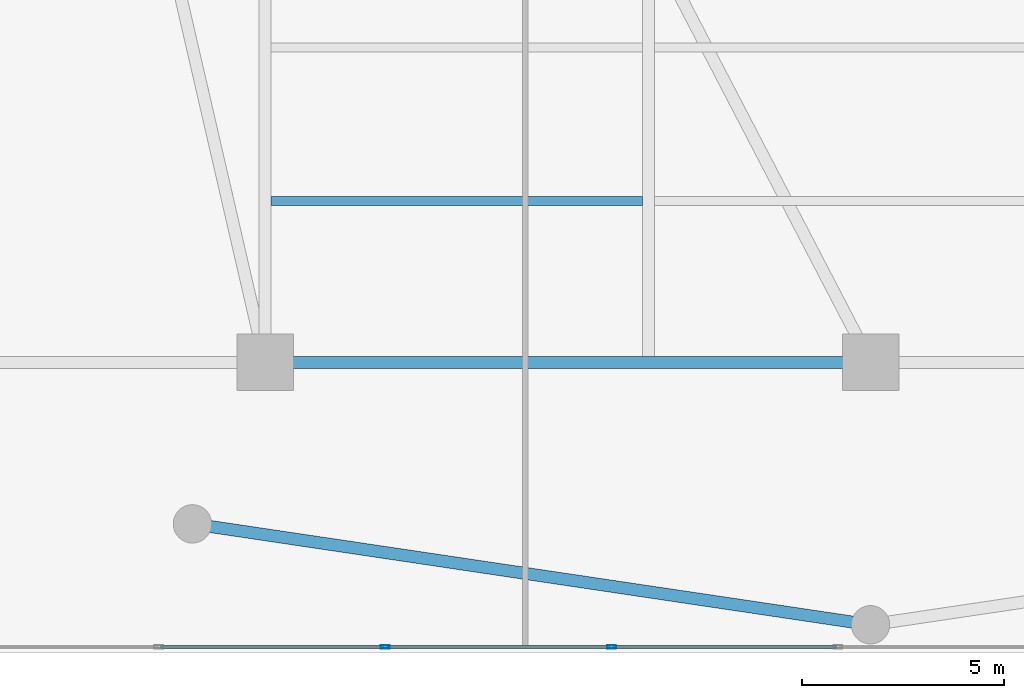
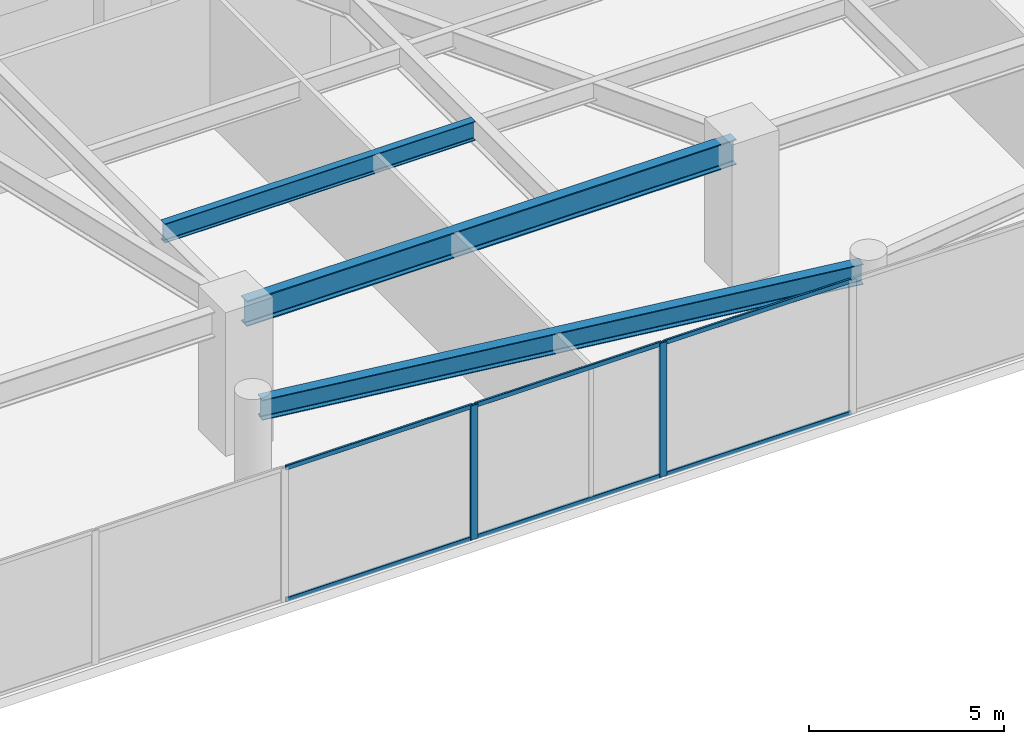
# One storey, part 3 of 29: 8 members, 3 beams, 1 element without a shape of its own.
"""IFC4 building model written with IfcOpenShell, lengths in metres."""

from ifc_helpers import new_model, si_unit, direction, frame, origin, origin_2d, place, context, subcontext, project, spatial, hollow_rectangle, i_section, extrude, material, layer, layer_set, material_profile, profile_set, type_object, element, aggregate, save


model = new_model("IFC4")

# Units and contexts
model_context = context("Model", 3, precision=1e-05, world=origin(), true_north=direction((0.0, 1.0)))
body_context = subcontext(model_context, "Body", "Model", "MODEL_VIEW")
ifc_project = project(units=[si_unit("LENGTHUNIT", "METRE"), si_unit("AREAUNIT", "SQUARE_METRE"), si_unit("VOLUMEUNIT", "CUBIC_METRE"), si_unit("PLANEANGLEUNIT", "RADIAN"), si_unit("MASSUNIT", "GRAM", prefix="KILO")], contexts=[model_context])

# Site, building, storey
site_placement = place(None, origin())
site = spatial("IfcSite", under=ifc_project, at=site_placement, CompositionType="ELEMENT")
building_placement = place(site_placement, origin())
building = spatial("IfcBuilding", under=site, at=building_placement, Name="Tarnavaz Court Tower", CompositionType="ELEMENT")
storey_placement = place(building_placement, frame((0.0, 0.0, 5.39990234375)))
storey = spatial("IfcBuildingStorey", under=building, at=storey_placement, Name="L01", CompositionType="ELEMENT", Elevation=5.39990234375)

# Beams
ifc_material_1 = material(Name="Steel S355", Category="steel")
ifc_material_profile_1 = material_profile(ifc_material_1, i_section(OverallWidth=0.300048828125, OverallDepth=0.800048828125, WebThickness=0.017578125, FlangeThickness=0.032958984375, FilletRadius=0.030029296875, at=origin_2d()), Name="HEB 800")
ifc_profile_set_1 = profile_set([ifc_material_profile_1], Name="Steel S355")
beam_type_1 = type_object("IfcBeamType", Name="BM-G-HEB800", PredefinedType="USERDEFINED", material=ifc_profile_set_1)
beam_1_placement = place(storey_placement, frame((-14.75, -22.800048828125, 3.800048828125), z_axis=(1.0, 0.0, 0.0), x_axis=(0.0, 1.0, 0.0)))
element("IfcBeam", 1, at=beam_1_placement, inside=storey, type_object=beam_type_1, Name="L01 Beam PM-PM-S1-PM-S2", ObjectType="GIRDER", PredefinedType="USERDEFINED", context=body_context, shape_type="SweptSolid", body=[
    extrude(i_section(OverallWidth=0.300048828125, OverallDepth=0.800048828125, WebThickness=0.017578125, FlangeThickness=0.032958984375, FilletRadius=0.030029296875, at=origin_2d()), origin(), (0.0, 0.0, 1.0), 14.5),
])
ifc_material_profile_2 = material_profile(ifc_material_1, i_section(OverallWidth=0.219970703125, OverallDepth=0.60009765625, WebThickness=0.011962890625, FlangeThickness=0.01904296875, FilletRadius=0.02392578125, at=origin_2d()), Name="IPE 600")
ifc_profile_set_2 = profile_set([ifc_material_profile_2], Name="Steel S355")
beam_type_2 = type_object("IfcBeamType", Name="BM-J-IPE600", PredefinedType="JOIST", material=ifc_profile_set_2)
beam_2_placement = place(storey_placement, frame((-14.85009765625, -18.800048828125, 3.900146484375), z_axis=(1.0, 0.0, 0.0), x_axis=(0.0, 1.0, 0.0)))
element("IfcBeam", 2, at=beam_2_placement, inside=storey, type_object=beam_type_2, Name="L01 Beam PJS-2-1", PredefinedType="JOIST", context=body_context, shape_type="SweptSolid", body=[
    extrude(i_section(OverallWidth=0.219970703125, OverallDepth=0.60009765625, WebThickness=0.011962890625, FlangeThickness=0.01904296875, FilletRadius=0.02392578125, at=origin_2d()), origin(), (0.0, 0.0, 1.0), 9.2001953125),
])
ifc_material_profile_3 = material_profile(ifc_material_1, i_section(OverallWidth=0.300048828125, OverallDepth=0.639892578125, WebThickness=0.013427734375, FlangeThickness=0.02587890625, FilletRadius=0.027099609375, at=origin_2d()), Name="HEA 650")
ifc_profile_set_3 = profile_set([ifc_material_profile_3], Name="Steel S355")
beam_type_3 = type_object("IfcBeamType", Name="BM-SP-HEA650", PredefinedType="SPANDREL", material=ifc_profile_set_3)
beam_3_placement = place(storey_placement, frame((-16.602294921875, -26.829345703125, 3.880126953125), z_axis=(0.989108332922, -0.147189353368, 0.0), x_axis=(0.147189353368, 0.989108332922, 0.0)))
element("IfcBeam", 3, at=beam_3_placement, inside=storey, type_object=beam_type_3, Name="L01 Beam PR-POD-S1-POD-S2", PredefinedType="SPANDREL", context=body_context, shape_type="SweptSolid", body=[
    extrude(i_section(OverallWidth=0.300048828125, OverallDepth=0.639892578125, WebThickness=0.013427734375, FlangeThickness=0.02587890625, FilletRadius=0.027099609375, at=origin_2d()), origin(), (0.0, 0.0, 1.0), 16.585205078125),
])

# Curtain wall, members
ifc_material_2 = material(Name="Anodised Aluminium 6063-T6 and Solar Low-E Glazing", Category="aluminium")
ifc_layer = layer(ifc_material_2, 0.18994140625)
ifc_layer_set = layer_set([ifc_layer], Name="Anodised Aluminium 6063-T6 and Solar Low-E Glazing")
curtain_wall_type = type_object("IfcCurtainWallType", Name="CW-SYS-01", PredefinedType="NOTDEFINED", material=ifc_layer_set)
curtain_wall_placement = place(storey_placement, origin())
curtain_wall = element("IfcCurtainWall", 4, at=curtain_wall_placement, inside=storey, type_object=curtain_wall_type, Name="L01 Clinic South Curtain Wall 3", PredefinedType="NOTDEFINED")
ifc_material_3 = material(Name="Anodised Aluminium 6063-T6", Category="aluminium")
ifc_material_profile_4 = material_profile(ifc_material_3, hollow_rectangle(XDim=0.0849609375, YDim=0.219970703125, WallThickness=0.006103515625, InnerFilletRadius=0.006103515625, OuterFilletRadius=0.011962890625, at=origin_2d()), Name="ALU RHS 220X85X6")
ifc_profile_set_4 = profile_set([ifc_material_profile_4], Name="Anodised Aluminium 6063-T6")
member_type_1 = type_object("IfcMemberType", Name="CW-MUL-220", PredefinedType="MULLION", material=ifc_profile_set_4)
member_1_placement = place(storey_placement, frame((-6.41357421875, -29.85009765625, 0.0), z_axis=(0.0, 0.0, 1.0), x_axis=(0.0, -1.0, 0.0)))
member_1 = element("IfcMember", 5, at=member_1_placement, type_object=member_type_1, Name="CW mullion 8", PredefinedType="MULLION", context=body_context, shape_type="SweptSolid", body=[
    extrude(hollow_rectangle(XDim=0.0849609375, YDim=0.219970703125, WallThickness=0.006103515625, InnerFilletRadius=0.006103515625, OuterFilletRadius=0.011962890625, at=origin_2d()), origin(), (0.0, 0.0, 1.0), 4.2001953125),
])
member_2_placement = place(storey_placement, frame((-12.022705078125, -29.85009765625, 0.0), z_axis=(0.0, 0.0, 1.0), x_axis=(0.0, -1.0, 0.0)))
member_2 = element("IfcMember", 6, at=member_2_placement, type_object=member_type_1, Name="CW mullion 9", PredefinedType="MULLION", context=body_context, shape_type="SweptSolid", body=[
    extrude(hollow_rectangle(XDim=0.0849609375, YDim=0.219970703125, WallThickness=0.006103515625, InnerFilletRadius=0.006103515625, OuterFilletRadius=0.011962890625, at=origin_2d()), origin(), (0.0, 0.0, 1.0), 4.2001953125),
])
ifc_material_profile_5 = material_profile(ifc_material_3, hollow_rectangle(XDim=0.06494140625, YDim=0.139892578125, WallThickness=0.00390625, InnerFilletRadius=0.00390625, OuterFilletRadius=0.008056640625, at=origin_2d()), Name="ALU RHS 140X65X4")
ifc_profile_set_5 = profile_set([ifc_material_profile_5], Name="Anodised Aluminium 6063-T6")
member_type_2 = type_object("IfcMemberType", Name="CW-TRN-140", PredefinedType="USERDEFINED", material=ifc_profile_set_5)
member_3_placement = place(storey_placement, frame((-0.846923828125, -29.85009765625, 0.03271484375), z_axis=(-1.0, 0.0, 0.0), x_axis=(0.0, -1.0, 0.0)))
member_3 = element("IfcMember", 7, at=member_3_placement, type_object=member_type_2, Name="CW transom 7.1", ObjectType="TRANSOM", PredefinedType="USERDEFINED", context=body_context, shape_type="SweptSolid", body=[
    extrude(hollow_rectangle(XDim=0.06494140625, YDim=0.139892578125, WallThickness=0.00390625, InnerFilletRadius=0.00390625, OuterFilletRadius=0.008056640625, at=origin_2d()), origin(), (0.0, 0.0, 1.0), 5.524169921875),
])
member_4_placement = place(storey_placement, frame((-0.846923828125, -29.85009765625, 4.16748046875), z_axis=(-1.0, 0.0, 0.0), x_axis=(0.0, -1.0, 0.0)))
member_4 = element("IfcMember", 8, at=member_4_placement, type_object=member_type_2, Name="CW transom 7.2", ObjectType="TRANSOM", PredefinedType="USERDEFINED", context=body_context, shape_type="SweptSolid", body=[
    extrude(hollow_rectangle(XDim=0.06494140625, YDim=0.139892578125, WallThickness=0.00390625, InnerFilletRadius=0.00390625, OuterFilletRadius=0.008056640625, at=origin_2d()), origin(), (0.0, 0.0, 1.0), 5.524169921875),
])
member_5_placement = place(storey_placement, frame((-6.4560546875, -29.85009765625, 0.03271484375), z_axis=(-1.0, 0.0, 0.0), x_axis=(0.0, -1.0, 0.0)))
member_5 = element("IfcMember", 9, at=member_5_placement, type_object=member_type_2, Name="CW transom 8.1", ObjectType="TRANSOM", PredefinedType="USERDEFINED", context=body_context, shape_type="SweptSolid", body=[
    extrude(hollow_rectangle(XDim=0.06494140625, YDim=0.139892578125, WallThickness=0.00390625, InnerFilletRadius=0.00390625, OuterFilletRadius=0.008056640625, at=origin_2d()), origin(), (0.0, 0.0, 1.0), 5.524169921875),
])
member_6_placement = place(storey_placement, frame((-6.4560546875, -29.85009765625, 4.16748046875), z_axis=(-1.0, 0.0, 0.0), x_axis=(0.0, -1.0, 0.0)))
member_6 = element("IfcMember", 10, at=member_6_placement, type_object=member_type_2, Name="CW transom 8.2", ObjectType="TRANSOM", PredefinedType="USERDEFINED", context=body_context, shape_type="SweptSolid", body=[
    extrude(hollow_rectangle(XDim=0.06494140625, YDim=0.139892578125, WallThickness=0.00390625, InnerFilletRadius=0.00390625, OuterFilletRadius=0.008056640625, at=origin_2d()), origin(), (0.0, 0.0, 1.0), 5.524169921875),
])
member_7_placement = place(storey_placement, frame((-12.065185546875, -29.85009765625, 0.03271484375), z_axis=(-1.0, 0.0, 0.0), x_axis=(0.0, -1.0, 0.0)))
member_7 = element("IfcMember", 11, at=member_7_placement, type_object=member_type_2, Name="CW transom 9.1", ObjectType="TRANSOM", PredefinedType="USERDEFINED", context=body_context, shape_type="SweptSolid", body=[
    extrude(hollow_rectangle(XDim=0.06494140625, YDim=0.139892578125, WallThickness=0.00390625, InnerFilletRadius=0.00390625, OuterFilletRadius=0.008056640625, at=origin_2d()), origin(), (0.0, 0.0, 1.0), 5.524169921875),
])
member_8_placement = place(storey_placement, frame((-12.065185546875, -29.85009765625, 4.16748046875), z_axis=(-1.0, 0.0, 0.0), x_axis=(0.0, -1.0, 0.0)))
member_8 = element("IfcMember", 12, at=member_8_placement, type_object=member_type_2, Name="CW transom 9.2", ObjectType="TRANSOM", PredefinedType="USERDEFINED", context=body_context, shape_type="SweptSolid", body=[
    extrude(hollow_rectangle(XDim=0.06494140625, YDim=0.139892578125, WallThickness=0.00390625, InnerFilletRadius=0.00390625, OuterFilletRadius=0.008056640625, at=origin_2d()), origin(), (0.0, 0.0, 1.0), 5.524169921875),
])
aggregate(curtain_wall, [member_1, member_2, member_3, member_4, member_5, member_6, member_7, member_8])

save(model, "model.ifc")
